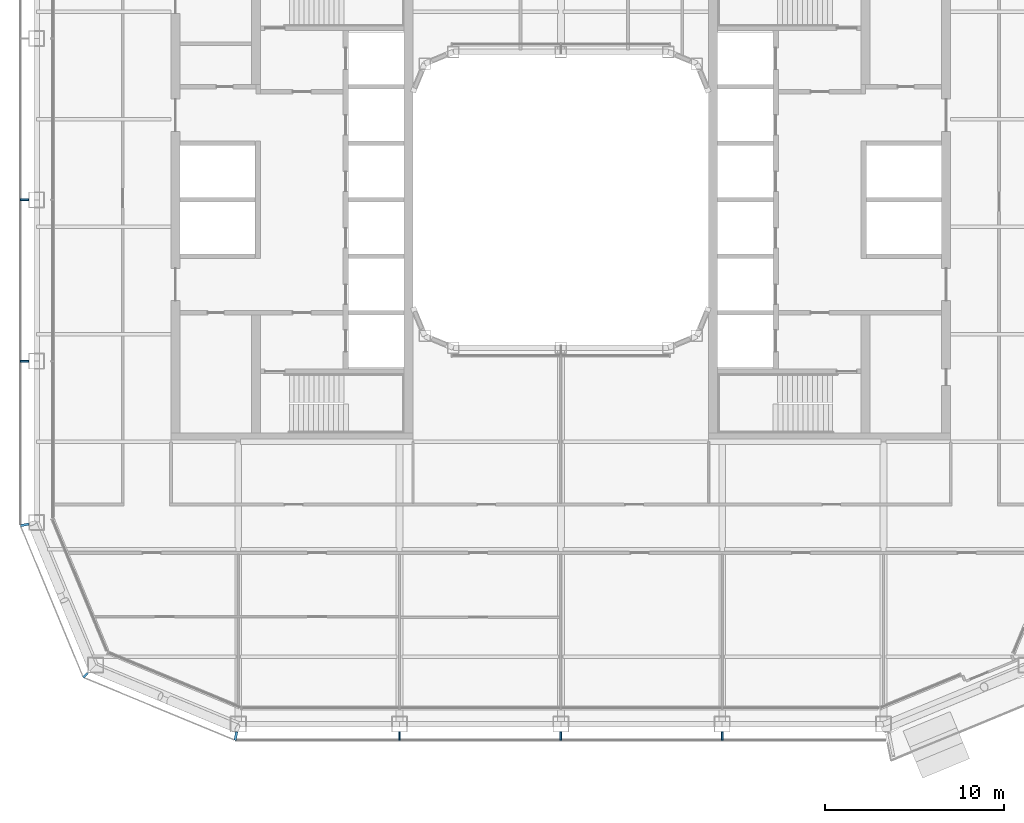
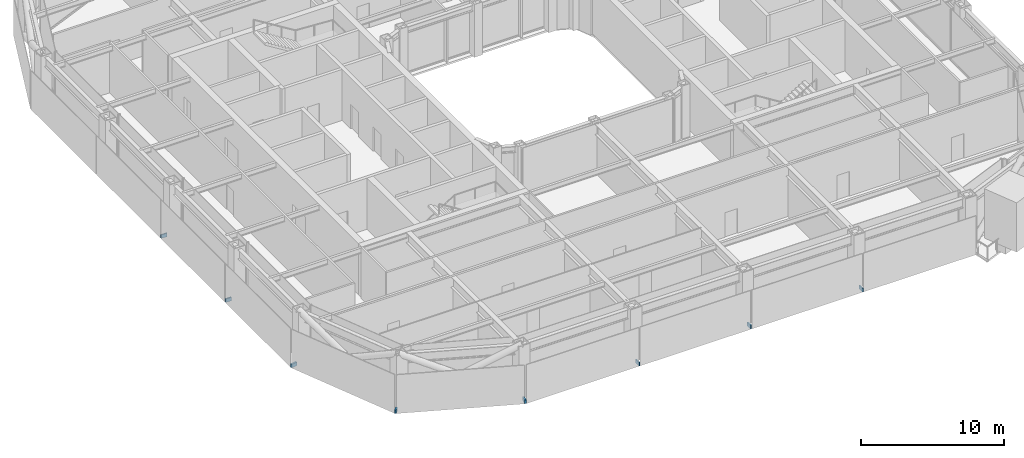
# One storey, part 15 of 23: 8 discrete accessories.
"""IFC4 building model written with IfcOpenShell, lengths in metres."""

from ifc_helpers import new_model, si_unit, direction, frame, origin, origin_2d, place, context, subcontext, project, spatial, rectangle, extrude, material, type_object, element, save


model = new_model("IFC4")

# Units and contexts
model_context = context("Model", 3, precision=1e-05, world=origin(), true_north=direction((0.0, 1.0)))
body_context = subcontext(model_context, "Body", "Model", "MODEL_VIEW")
ifc_project = project(units=[si_unit("LENGTHUNIT", "METRE"), si_unit("AREAUNIT", "SQUARE_METRE"), si_unit("VOLUMEUNIT", "CUBIC_METRE"), si_unit("PLANEANGLEUNIT", "RADIAN"), si_unit("MASSUNIT", "GRAM", prefix="KILO")], contexts=[model_context])

# Site, building, storey
site_placement = place(None, origin())
site = spatial("IfcSite", under=ifc_project, at=site_placement, CompositionType="ELEMENT")
building_placement = place(site_placement, origin())
building = spatial("IfcBuilding", under=site, at=building_placement, Name="Siwar Civic Tower", CompositionType="ELEMENT")
storey_placement = place(building_placement, frame((0.0, 0.0, 145.199951171875)))
storey = spatial("IfcBuildingStorey", under=building, at=storey_placement, Name="L31", CompositionType="ELEMENT", Elevation=145.199951171875)

# Discrete accessories
ifc_material = material(Name="Stainless steel 316", Category="steel")
discrete_accessory_type = type_object("IfcDiscreteAccessoryType", Name="ENV-BRACKET", PredefinedType="BRACKET", material=ifc_material)
for number, where, z_axis, x_axis, name in (
    (1, (-9.0, -29.9150390625, -0.14990234375), (0.0, 0.0, 1.0), (0.0, -1.0, 0.0), "Bracket outer skin joint S-01"),
    (2, (0.0, -29.9150390625, -0.14990234375), (0.0, 0.0, 1.0), (0.0, -1.0, 0.0), "Bracket outer skin joint S-02"),
    (3, (9.0, -29.9150390625, -0.14990234375), (0.0, 0.0, 1.0), (0.0, -1.0, 0.0), "Bracket outer skin joint S-03"),
):
    element("IfcDiscreteAccessory", number, at=place(storey_placement, frame(where, z_axis=z_axis, x_axis=x_axis)), inside=storey, type_object=discrete_accessory_type, Name=name, PredefinedType="BRACKET", context=body_context, shape_type="SweptSolid", body=[
        extrude(rectangle(XDim=0.469970703125, YDim=0.10009765625, at=origin_2d()), origin(), (0.0, 0.0, 1.0), 0.300048828125),
    ])
for number, where, z_axis, x_axis, name in (
    (4, (-18.13232421875, -29.915283203125, -0.14990234375), (0.0, 0.0, 1.0), (-0.195090322016, -0.980785280403, 0.0), "Bracket outer skin joint V00"),
    (5, (-29.915283203125, -18.13232421875, -0.14990234375), (0.0, 0.0, 1.0), (-0.980785280403, -0.195090322016, 0.0), "Bracket outer skin joint V10"),
):
    element("IfcDiscreteAccessory", number, at=place(storey_placement, frame(where, z_axis=z_axis, x_axis=x_axis)), inside=storey, type_object=discrete_accessory_type, Name=name, PredefinedType="BRACKET", context=body_context, shape_type="SweptSolid", body=[
        extrude(rectangle(XDim=0.478759765625, YDim=0.13720703125, at=origin_2d()), origin(), (0.0, 0.0, 1.0), 0.300048828125),
    ])
discrete_accessory_placement = place(storey_placement, frame((-26.517333984375, -26.517333984375, -0.14990234375), z_axis=(0.0, 0.0, 1.0), x_axis=(-0.707106781187, -0.707106781187, 0.0)))
element("IfcDiscreteAccessory", 6, at=discrete_accessory_placement, inside=storey, type_object=discrete_accessory_type, Name="Bracket outer skin joint V11", PredefinedType="BRACKET", context=body_context, shape_type="SweptSolid", body=[
    extrude(rectangle(XDim=0.357666015625, YDim=0.12939453125, at=origin_2d()), origin(), (0.0, 0.0, 1.0), 0.300048828125),
])
for number, where, z_axis, x_axis, name in (
    (7, (-29.9150390625, 0.0, -0.14990234375), (0.0, 0.0, 1.0), (-1.0, 0.0, 0.0), "Bracket outer skin joint W-02"),
    (8, (-29.9150390625, -9.0, -0.14990234375), (0.0, 0.0, 1.0), (-1.0, 0.0, 0.0), "Bracket outer skin joint W-03"),
):
    element("IfcDiscreteAccessory", number, at=place(storey_placement, frame(where, z_axis=z_axis, x_axis=x_axis)), inside=storey, type_object=discrete_accessory_type, Name=name, PredefinedType="BRACKET", context=body_context, shape_type="SweptSolid", body=[
        extrude(rectangle(XDim=0.469970703125, YDim=0.10009765625, at=origin_2d()), origin(), (0.0, 0.0, 1.0), 0.300048828125),
    ])

save(model, "model.ifc")
